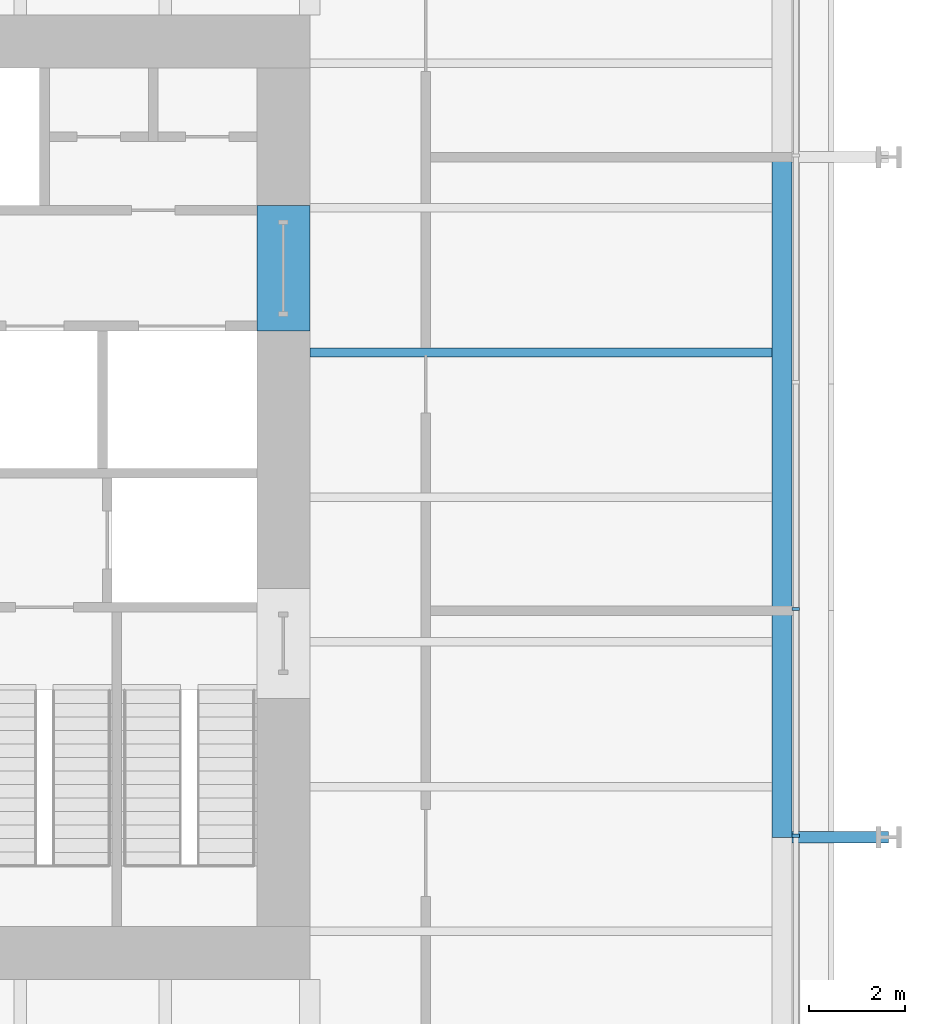
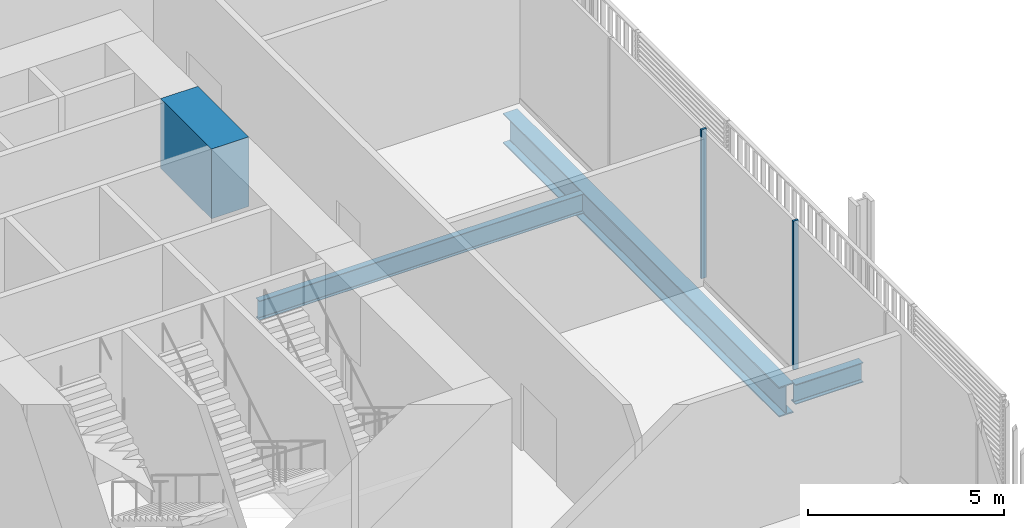
# One storey, part 9 of 22: 4 beams, 2 members, 1 element without a shape of its own.
"""IFC4 building model written with IfcOpenShell, lengths in metres."""

from ifc_helpers import new_model, si_unit, direction, frame, origin, origin_2d, place, context, subcontext, project, spatial, rectangle, i_section, extrude, material, layer, layer_set, material_profile, profile_set, type_object, element, aggregate, save


model = new_model("IFC4")

# Units and contexts
model_context = context("Model", 3, precision=1e-05, world=origin(), true_north=direction((0.0, 1.0)))
body_context = subcontext(model_context, "Body", "Model", "MODEL_VIEW")
ifc_project = project(units=[si_unit("LENGTHUNIT", "METRE"), si_unit("AREAUNIT", "SQUARE_METRE"), si_unit("VOLUMEUNIT", "CUBIC_METRE"), si_unit("PLANEANGLEUNIT", "RADIAN"), si_unit("MASSUNIT", "GRAM", prefix="KILO")], contexts=[model_context])

# Site, building, storey
site_placement = place(None, origin())
site = spatial("IfcSite", under=ifc_project, at=site_placement, CompositionType="ELEMENT")
building_placement = place(site_placement, origin())
building = spatial("IfcBuilding", under=site, at=building_placement, Name="Millrace Tower", CompositionType="ELEMENT")
storey_placement = place(building_placement, frame((0.0, 0.0, 49.699951171875)))
storey = spatial("IfcBuildingStorey", under=building, at=storey_placement, Name="L11", CompositionType="ELEMENT", Elevation=49.699951171875)

# Curtain wall, members
ifc_material_1 = material(Name="Aluminium and glass", Category="aluminium")
ifc_layer = layer(ifc_material_1, 0.14990234375)
ifc_layer_set = layer_set([ifc_layer], Name="Aluminium and glass")
curtain_wall_type = type_object("IfcCurtainWallType", Name="CW-2 data hall insulated curtain wall", PredefinedType="NOTDEFINED", material=ifc_layer_set)
curtain_wall_placement = place(storey_placement, origin())
curtain_wall = element("IfcCurtainWall", 1, at=curtain_wall_placement, inside=storey, type_object=curtain_wall_type, Name="Curtain wall A-F04 L11", PredefinedType="NOTDEFINED")
ifc_material_2 = material(Name="Aluminium", Category="aluminium")
ifc_material_profile_1 = material_profile(ifc_material_2, rectangle(XDim=0.06494140625, YDim=0.14990234375, at=origin_2d()))
ifc_profile_set_1 = profile_set([ifc_material_profile_1], Name="Aluminium")
member_type = type_object("IfcMemberType", Name="CW-2 data hall insulated curtain wall mullion", PredefinedType="MULLION", material=ifc_profile_set_1)
member_1_placement = place(storey_placement, frame((25.074951171875, -7.017578125, 0.16015625), z_axis=(0.0, 0.0, 1.0), x_axis=(0.0, 1.0, 0.0)))
member_1 = element("IfcMember", 2, at=member_1_placement, type_object=member_type, Name="CW2 mullion A-F04.4", PredefinedType="MULLION", context=body_context, shape_type="SweptSolid", body=[
    extrude(rectangle(XDim=0.06494140625, YDim=0.14990234375, at=origin_2d()), origin(), (0.0, 0.0, 1.0), 4.639892578125),
])
member_2_placement = place(storey_placement, frame((25.074951171875, -2.3173828125, 0.16015625), z_axis=(0.0, 0.0, 1.0), x_axis=(0.0, 1.0, 0.0)))
member_2 = element("IfcMember", 3, at=member_2_placement, type_object=member_type, Name="CW2 mullion A-F04.5", PredefinedType="MULLION", context=body_context, shape_type="SweptSolid", body=[
    extrude(rectangle(XDim=0.06494140625, YDim=0.14990234375, at=origin_2d()), origin(), (0.0, 0.0, 1.0), 4.639892578125),
])
aggregate(curtain_wall, [member_1, member_2])

# Beams
ifc_material_3 = material(Name="Concrete C80", Category="concrete")
ifc_material_profile_2 = material_profile(ifc_material_3, rectangle(XDim=1.10009765625, YDim=2.175048828125, at=origin_2d()))
ifc_profile_set_2 = profile_set([ifc_material_profile_2], Name="Concrete C80")
beam_type_1 = type_object("IfcBeamType", Name="Coupling beam 1100 x 2175 Concrete C80, 2000 opening", PredefinedType="BEAM", material=ifc_profile_set_2)
beam_1_placement = place(storey_placement, frame((14.449951171875, 6.050048828125, 3.487548828125), z_axis=(0.0, -1.0, 0.0), x_axis=(1.0, 0.0, 0.0)))
element("IfcBeam", 4, at=beam_1_placement, inside=storey, type_object=beam_type_1, Name="Coupling beam E L11", PredefinedType="BEAM", context=body_context, shape_type="SweptSolid", body=[
    extrude(rectangle(XDim=1.10009765625, YDim=2.175048828125, at=origin_2d()), origin(), (0.0, 0.0, 1.0), 2.60009765625),
])
ifc_material_4 = material(Name="Steel ASTM A992 Grade 50", Category="steel")
ifc_material_profile_3 = material_profile(ifc_material_4, i_section(OverallWidth=0.1787109375, OverallDepth=0.60205078125, WebThickness=0.010986328125, FlangeThickness=0.014892578125, FilletRadius=0.0126953125, at=origin_2d()))
ifc_profile_set_3 = profile_set([ifc_material_profile_3], Name="Steel ASTM A992 Grade 50")
beam_type_2 = type_object("IfcBeamType", Name="Floor beam W24x62", PredefinedType="JOIST", material=ifc_profile_set_3)
beam_2_placement = place(storey_placement, frame((15.0, 3.0, -0.52587890625), z_axis=(1.0, 0.0, 0.0), x_axis=(0.0, 1.0, 0.0)))
element("IfcBeam", 5, at=beam_2_placement, inside=storey, type_object=beam_type_2, Name="BM-A-L11-S1-S025", PredefinedType="JOIST", context=body_context, shape_type="SweptSolid", body=[
    extrude(i_section(OverallWidth=0.1787109375, OverallDepth=0.60205078125, WebThickness=0.010986328125, FlangeThickness=0.014892578125, FilletRadius=0.0126953125, at=origin_2d()), origin(), (0.0, 0.0, 1.0), 9.578369140625),
])
ifc_material_5 = material(Name="Steel ASTM A992 Grade 50", Category="steel")
ifc_material_profile_4 = material_profile(ifc_material_5, i_section(OverallWidth=0.23046875, OverallDepth=0.6171875, WebThickness=0.01318359375, FlangeThickness=0.022216796875, FilletRadius=0.012939453125, at=origin_2d()))
ifc_profile_set_4 = profile_set([ifc_material_profile_4], Name="Steel ASTM A992 Grade 50")
beam_type_3 = type_object("IfcBeamType", Name="Link beam W24x94", PredefinedType="BEAM", material=ifc_profile_set_4)
beam_3_placement = place(storey_placement, frame((25.0, -7.050048828125, -0.533447265625), z_axis=(1.0, 0.0, 0.0), x_axis=(0.0, 1.0, 0.0)))
element("IfcBeam", 6, at=beam_3_placement, inside=storey, type_object=beam_type_3, Name="LNK-A-L11-S1-11", PredefinedType="BEAM", context=body_context, shape_type="SweptSolid", body=[
    extrude(i_section(OverallWidth=0.23046875, OverallDepth=0.6171875, WebThickness=0.01318359375, FlangeThickness=0.022216796875, FilletRadius=0.012939453125, at=origin_2d()), origin(), (0.0, 0.0, 1.0), 2.0),
])
ifc_material_6 = material(Name="Steel ASTM A992 Grade 50", Category="steel")
ifc_material_profile_5 = material_profile(ifc_material_6, i_section(OverallWidth=0.421630859375, OverallDepth=0.937255859375, WebThickness=0.021240234375, FlangeThickness=0.03662109375, FilletRadius=0.024169921875, at=origin_2d()))
ifc_profile_set_5 = profile_set([ifc_material_profile_5], Name="Steel ASTM A992 Grade 50")
beam_type_4 = type_object("IfcBeamType", Name="Ring beam medium span W36x262", PredefinedType="SPANDREL", material=ifc_profile_set_5)
beam_4_placement = place(storey_placement, frame((24.7890625, 7.050048828125, -0.693603515625), z_axis=(0.0, -1.0, 0.0), x_axis=(1.0, 0.0, 0.0)))
element("IfcBeam", 7, at=beam_4_placement, inside=storey, type_object=beam_type_4, Name="RNG-A-L11-S1-10", PredefinedType="SPANDREL", context=body_context, shape_type="SweptSolid", body=[
    extrude(i_section(OverallWidth=0.421630859375, OverallDepth=0.937255859375, WebThickness=0.021240234375, FlangeThickness=0.03662109375, FilletRadius=0.024169921875, at=origin_2d()), origin(), (0.0, 0.0, 1.0), 14.10009765625),
])

save(model, "model.ifc")
